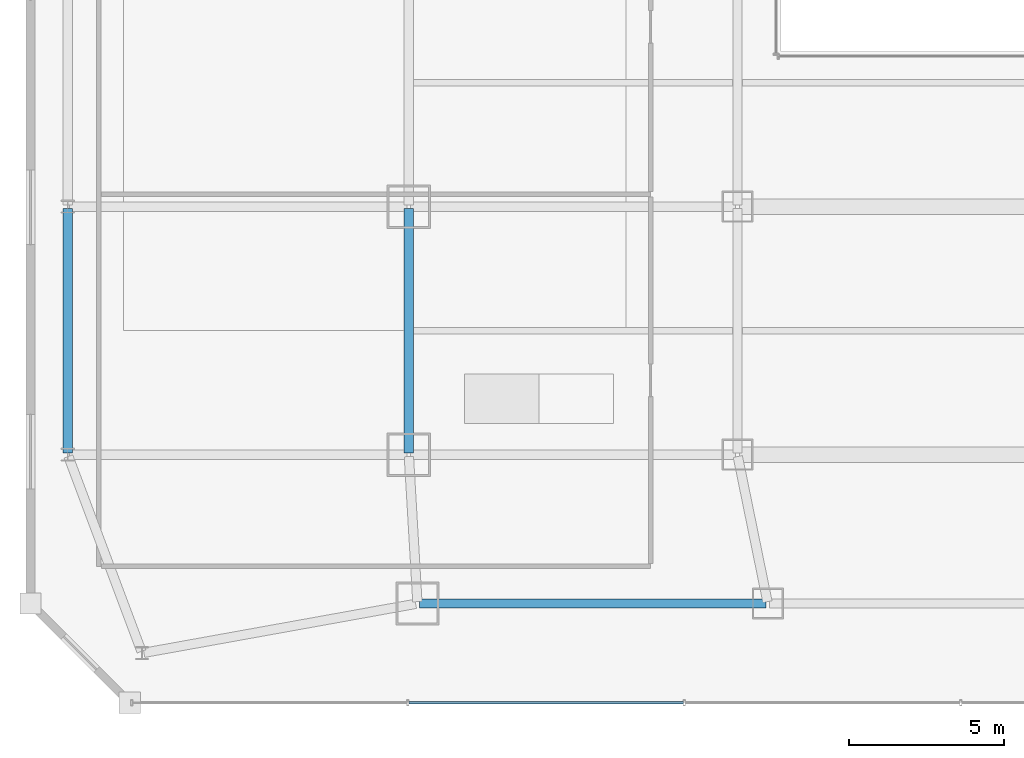
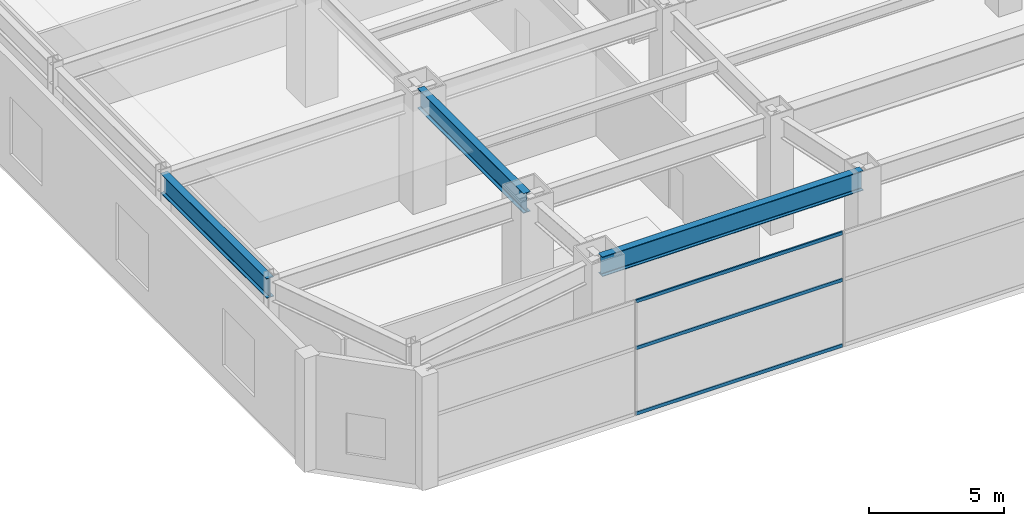
# One storey, part 9 of 53: 3 beams, 3 members, 1 element without a shape of its own.
"""IFC4 building model written with IfcOpenShell, lengths in metres."""

import ifcopenshell
import ifcopenshell.guid

model = None  # the IFC model being written
_history = None  # IfcOwnerHistory: only IFC2X3 demands one
_inside = {}  # id of a spatial element -> (the spatial element, [elements in it])
_under = {}  # id of a project, library or spatial element -> (it, [spatial elements below it])
_declared = {}  # id of a project -> (the project, [libraries it declares])
_typed = {}  # id of a type object -> (the type object, [elements of that type])
_made_of = {}  # id of a material, layer set ... -> (it, [elements and type objects made of it])


def new_model(schema):
    """Start an empty IFC model of exactly this schema.

    Asked for "IFC4X3", IfcOpenShell would pick the latest addendum, in which some entities
    have other attributes; the version numbers below select the first issue.
    IFC2X3 requires an IfcOwnerHistory on every rooted entity: one is made here for all.
    """
    global model, _history
    if schema == "IFC4X3":
        model = ifcopenshell.file(schema_version=(4, 3, 0, 0))
    else:
        model = ifcopenshell.file(schema=schema)
    _inside.clear()
    _under.clear()
    _declared.clear()
    _typed.clear()
    _made_of.clear()
    _history = None
    if model.schema == "IFC2X3":
        org = make("IfcOrganization", Name="unknown")
        user = make(
            "IfcPersonAndOrganization",
            ThePerson=make("IfcPerson", FamilyName="unknown"),
            TheOrganization=org,
        )
        app = make(
            "IfcApplication",
            ApplicationDeveloper=org,
            Version="unknown",
            ApplicationFullName="unknown",
            ApplicationIdentifier="unknown",
        )
        _history = make(
            "IfcOwnerHistory",
            OwningUser=user,
            OwningApplication=app,
            ChangeAction="ADDED",
            CreationDate=0,
        )
    return model


def make(cls, **values):
    """One entity of the class cls with the attributes given. An attribute that is None is left unset."""
    return model.create_entity(
        cls, **{name: value for name, value in values.items() if value is not None}
    )


def rooted(cls, **values):
    """An entity with a GlobalId (a new one), such as an element, a storey or a relation."""
    return make(cls, GlobalId=ifcopenshell.guid.new(), OwnerHistory=_history, **values)


def si_unit(unit_type, name, prefix=None):
    """IfcSIUnit, for example si_unit("LENGTHUNIT", "METRE", prefix="MILLI")."""
    return make("IfcSIUnit", UnitType=unit_type, Prefix=prefix, Name=name)


def assignment(units):
    """IfcUnitAssignment: the units of a project."""
    return None if units is None else make("IfcUnitAssignment", Units=units)


def point(xyz):
    """IfcCartesianPoint."""
    return None if xyz is None else make("IfcCartesianPoint", Coordinates=xyz)


def direction(xyz):
    """IfcDirection."""
    return None if xyz is None else make("IfcDirection", DirectionRatios=xyz)


def frame(location, z_axis=None, x_axis=None):
    """IfcAxis2Placement3D, a coordinate frame: its origin and axes. An axis left out is left unset."""
    return make(
        "IfcAxis2Placement3D",
        Location=point(location),
        Axis=direction(z_axis),
        RefDirection=direction(x_axis),
    )


def frame_2d(location, x_axis=None):
    """IfcAxis2Placement2D, a coordinate frame in the plane: its origin and x axis."""
    return make(
        "IfcAxis2Placement2D", Location=point(location), RefDirection=direction(x_axis)
    )


def origin():
    """The frame at (0, 0, 0) with its axes left unset."""
    return frame((0.0, 0.0, 0.0))


def origin_2d():
    """The frame at (0, 0) in the plane with its x axis left unset."""
    return frame_2d((0.0, 0.0))


def place(relative_to, where):
    """IfcLocalPlacement: puts the frame where relative to a parent placement (None: the world)."""
    return make(
        "IfcLocalPlacement", PlacementRelTo=relative_to, RelativePlacement=where
    )


def context(
    kind, dimensions, precision=None, world=None, true_north=None, identifier=None
):
    """IfcGeometricRepresentationContext, for example the 3D "Model" context."""
    return make(
        "IfcGeometricRepresentationContext",
        ContextIdentifier=identifier,
        ContextType=kind,
        CoordinateSpaceDimension=dimensions,
        Precision=precision,
        WorldCoordinateSystem=world,
        TrueNorth=true_north,
    )


def subcontext(parent, identifier, kind, view, scale=None):
    """IfcGeometricRepresentationSubContext, for example "Body" below "Model"."""
    return make(
        "IfcGeometricRepresentationSubContext",
        ContextIdentifier=identifier,
        ContextType=kind,
        ParentContext=parent,
        TargetScale=scale,
        TargetView=view,
    )


def project(units=None, contexts=None):
    """IfcProject with its units and contexts."""
    return rooted(
        "IfcProject",
        Name="project",
        RepresentationContexts=contexts,
        UnitsInContext=assignment(units),
    )


def spatial(cls, under=None, at=None, **own):
    """A site, building, storey or space (cls), placed at a placement, below another one or the project."""
    s = rooted(cls, ObjectPlacement=at, **own)
    if under is not None:
        _under.setdefault(under.id(), (under, []))[1].append(s)
    return s


def profile(cls, at=None, kind="AREA", **sizes):
    """A parametric profile (cls). Its sizes go by their IFC names, for example OverallWidth=200.0."""
    return make(cls, ProfileType=kind, Position=at, **sizes)


def hollow_rectangle(**sizes):
    """IfcRectangleHollowProfileDef."""
    return profile("IfcRectangleHollowProfileDef", **sizes)


def i_section(**sizes):
    """IfcIShapeProfileDef."""
    return profile("IfcIShapeProfileDef", **sizes)


def extrude(swept, where, along, depth):
    """IfcExtrudedAreaSolid: the profile swept, set in the frame where, extruded along a direction by depth."""
    return make(
        "IfcExtrudedAreaSolid",
        SweptArea=swept,
        Position=where,
        ExtrudedDirection=direction(along),
        Depth=depth,
    )


def shape(context_of_items, identifier, shape_type, items):
    """IfcShapeRepresentation: the items that make up one representation, for example the "Body"."""
    return make(
        "IfcShapeRepresentation",
        ContextOfItems=context_of_items,
        RepresentationIdentifier=identifier,
        RepresentationType=shape_type,
        Items=items,
    )


def material(Name=None, Category=None):
    """IfcMaterial."""
    return make("IfcMaterial", Name=Name, Category=Category)


def material_profile(
    of_material, cross_section, Name=None, Category=None, Priority=None
):
    """IfcMaterialProfile: a cross section and its material."""
    return make(
        "IfcMaterialProfile",
        Name=Name,
        Material=of_material,
        Profile=cross_section,
        Priority=Priority,
        Category=Category,
    )


def profile_set(profiles, Name=None, composite=None):
    """IfcMaterialProfileSet."""
    return make(
        "IfcMaterialProfileSet",
        Name=Name,
        MaterialProfiles=profiles,
        CompositeProfile=composite,
    )


def made_of(thing, what):
    """Note that an element or type object is made of a material, layer set ...; save() writes the relation."""
    if what is not None:
        _made_of.setdefault(what.id(), (what, []))[1].append(thing)
    return thing


def type_object(cls, material=None, **own):
    """A type object (cls), such as IfcWallType, which elements share."""
    return made_of(rooted(cls, **own), material)


def element(
    cls,
    number,
    at=None,
    inside=None,
    cuts=None,
    type_object=None,
    material=None,
    context=None,
    identifier="Body",
    shape_type=None,
    held_by="IfcProductDefinitionShape",
    body=None,
    shapes=None,
    **own,
):
    """One element of the class cls, such as IfcWall. Its Tag is "e" and its number.

    at: its placement. inside: the storey or other place that contains it. cuts: it is an
    opening in that element (IfcRelVoidsElement). A single representation is given by context,
    identifier, shape_type and body (its items); several are given by shapes. held_by: the class
    of the entity that holds the representations. save() writes the other relations.
    """
    e = rooted(cls, Tag="e%d" % number, ObjectPlacement=at, **own)
    if body is not None:
        shapes = [shape(context, identifier, shape_type, body)]
    if shapes is not None:
        e.Representation = make(held_by, Representations=shapes)
    if inside is not None:
        _inside.setdefault(inside.id(), (inside, []))[1].append(e)
    if cuts is not None:
        rooted(
            "IfcRelVoidsElement", RelatingBuildingElement=cuts, RelatedOpeningElement=e
        )
    if type_object is not None:
        _typed.setdefault(type_object.id(), (type_object, []))[1].append(e)
    return made_of(e, material)


def aggregate(whole, parts):
    """IfcRelAggregates: a whole, such as a stair, and the parts it consists of."""
    return rooted("IfcRelAggregates", RelatingObject=whole, RelatedObjects=parts)


def save(model, path):
    """Write the relations noted so far, then the file.

    IfcRelAggregates (storeys below a building ...), IfcRelContainedInSpatialStructure (elements
    in a storey), IfcRelDefinesByType, IfcRelAssociatesMaterial and IfcRelDeclares: one each for
    every whole, place, type object, material and project.
    """
    for whole, parts in _under.values():
        aggregate(whole, parts)
    for where, things in _inside.values():
        rooted(
            "IfcRelContainedInSpatialStructure",
            RelatedElements=things,
            RelatingStructure=where,
        )
    for kind, things in _typed.values():
        rooted("IfcRelDefinesByType", RelatedObjects=things, RelatingType=kind)
    for what, things in _made_of.values():
        rooted("IfcRelAssociatesMaterial", RelatedObjects=things, RelatingMaterial=what)
    for by, libraries in _declared.values():
        rooted("IfcRelDeclares", RelatingContext=by, RelatedDefinitions=libraries)
    model.write(path)


model = new_model("IFC4")

# Units and contexts
model_context = context("Model", 3, precision=1e-05, world=origin(), true_north=direction((0.0, 1.0)))
body_context = subcontext(model_context, "Body", "Model", "MODEL_VIEW")
ifc_project = project(units=[si_unit("LENGTHUNIT", "METRE"), si_unit("AREAUNIT", "SQUARE_METRE"), si_unit("VOLUMEUNIT", "CUBIC_METRE"), si_unit("PLANEANGLEUNIT", "RADIAN"), si_unit("MASSUNIT", "GRAM", prefix="KILO")], contexts=[model_context])

# Site, building, storey
site_placement = place(None, origin())
site = spatial("IfcSite", under=ifc_project, at=site_placement, CompositionType="ELEMENT")
building_placement = place(site_placement, origin())
building = spatial("IfcBuilding", under=site, at=building_placement, Name="Saevonmaru Cultural Tower", CompositionType="ELEMENT")
storey_placement = place(building_placement, frame((0.0, 0.0, 22.199951171875)))
storey = spatial("IfcBuildingStorey", under=building, at=storey_placement, Name="L04", CompositionType="ELEMENT", Elevation=22.199951171875)

# Beams
ifc_material_1 = material(Name="Steel SM420", Category="steel")
ifc_material_profile_1 = material_profile(ifc_material_1, i_section(OverallWidth=0.300048828125, OverallDepth=0.89990234375, WebThickness=0.01611328125, FlangeThickness=0.028076171875, FilletRadius=0.028076171875, at=origin_2d()), Name="H-900x300x16x28")
ifc_profile_set_1 = profile_set([ifc_material_profile_1], Name="Steel SM420")
beam_type = type_object("IfcBeamType", Name="BM-G-H900", PredefinedType="BEAM", material=ifc_profile_set_1)
beam_1_placement = place(storey_placement, frame((12.199951171875, 8.06005859375, 4.699951171875), z_axis=(0.0, 1.0, 0.0), x_axis=(-1.0, 0.0, 0.0)))
element("IfcBeam", 1, at=beam_1_placement, inside=storey, type_object=beam_type, Name="L04 Podium Girder NS1-2", PredefinedType="BEAM", context=body_context, shape_type="SweptSolid", body=[
    extrude(i_section(OverallWidth=0.300048828125, OverallDepth=0.89990234375, WebThickness=0.01611328125, FlangeThickness=0.028076171875, FilletRadius=0.028076171875, at=origin_2d()), origin(), (0.0, 0.0, 1.0), 7.8798828125),
])
beam_2_placement = place(storey_placement, frame((12.5400390625, 3.199951171875, 4.699951171875), z_axis=(1.0, 0.0, 0.0), x_axis=(0.0, 1.0, 0.0)))
element("IfcBeam", 2, at=beam_2_placement, inside=storey, type_object=beam_type, Name="BM-POD-EW-W-0-L04", PredefinedType="BEAM", context=body_context, shape_type="SweptSolid", body=[
    extrude(i_section(OverallWidth=0.300048828125, OverallDepth=0.89990234375, WebThickness=0.01611328125, FlangeThickness=0.028076171875, FilletRadius=0.028076171875, at=origin_2d()), origin(), (0.0, 0.0, 1.0), 11.179931640625),
])
beam_3_placement = place(storey_placement, frame((1.199951171875, 8.06005859375, 4.699951171875), z_axis=(0.0, 1.0, 0.0), x_axis=(-1.0, 0.0, 0.0)))
element("IfcBeam", 3, at=beam_3_placement, inside=storey, type_object=beam_type, Name="BM-POD-PW-1-L04", PredefinedType="BEAM", context=body_context, shape_type="SweptSolid", body=[
    extrude(i_section(OverallWidth=0.300048828125, OverallDepth=0.89990234375, WebThickness=0.01611328125, FlangeThickness=0.028076171875, FilletRadius=0.028076171875, at=origin_2d()), origin(), (0.0, 0.0, 1.0), 7.8798828125),
])

# Curtain wall, members
ifc_material_2 = material(Name="Satin Bronze Anodised Aluminium", Category="aluminium")
curtain_wall_type = type_object("IfcCurtainWallType", Name="CW-POD-GLZ", PredefinedType="NOTDEFINED", material=ifc_material_2)
curtain_wall_placement = place(storey_placement, origin())
curtain_wall = element("IfcCurtainWall", 4, at=curtain_wall_placement, inside=storey, type_object=curtain_wall_type, Name="L04 South Grand Foyer Curtain Wall", PredefinedType="NOTDEFINED")
ifc_material_profile_2 = material_profile(ifc_material_2, hollow_rectangle(XDim=0.06494140625, YDim=0.14990234375, WallThickness=0.00390625, at=origin_2d()), Name="ALU-TRAN-150x65x4")
ifc_profile_set_2 = profile_set([ifc_material_profile_2], Name="Satin Bronze Anodised Aluminium")
member_type = type_object("IfcMemberType", Name="TR-CW-150x65", PredefinedType="USERDEFINED", material=ifc_profile_set_2)
member_1_placement = place(storey_placement, frame((12.205810546875, 0.0, 0.032470703125), z_axis=(1.0, 0.0, 0.0), x_axis=(0.0, 1.0, 0.0)))
member_1 = element("IfcMember", 5, at=member_1_placement, type_object=member_type, Name="CW-POD-S-L04 transom 2.1", ObjectType="TRANSOM", PredefinedType="USERDEFINED", context=body_context, shape_type="SweptSolid", body=[
    extrude(hollow_rectangle(XDim=0.06494140625, YDim=0.14990234375, WallThickness=0.00390625, at=origin_2d()), origin(), (0.0, 0.0, 1.0), 8.848388671875),
])
member_2_placement = place(storey_placement, frame((12.205810546875, 0.0, 3.0), z_axis=(1.0, 0.0, 0.0), x_axis=(0.0, 1.0, 0.0)))
member_2 = element("IfcMember", 6, at=member_2_placement, type_object=member_type, Name="CW-POD-S-L04 transom 2.2", ObjectType="TRANSOM", PredefinedType="USERDEFINED", context=body_context, shape_type="SweptSolid", body=[
    extrude(hollow_rectangle(XDim=0.06494140625, YDim=0.14990234375, WallThickness=0.00390625, at=origin_2d()), origin(), (0.0, 0.0, 1.0), 8.848388671875),
])
member_3_placement = place(storey_placement, frame((12.205810546875, 0.0, 5.117431640625), z_axis=(1.0, 0.0, 0.0), x_axis=(0.0, 1.0, 0.0)))
member_3 = element("IfcMember", 7, at=member_3_placement, type_object=member_type, Name="CW-POD-S-L04 transom 2.3", ObjectType="TRANSOM", PredefinedType="USERDEFINED", context=body_context, shape_type="SweptSolid", body=[
    extrude(hollow_rectangle(XDim=0.06494140625, YDim=0.14990234375, WallThickness=0.00390625, at=origin_2d()), origin(), (0.0, 0.0, 1.0), 8.848388671875),
])
aggregate(curtain_wall, [member_1, member_2, member_3])

save(model, "model.ifc")
